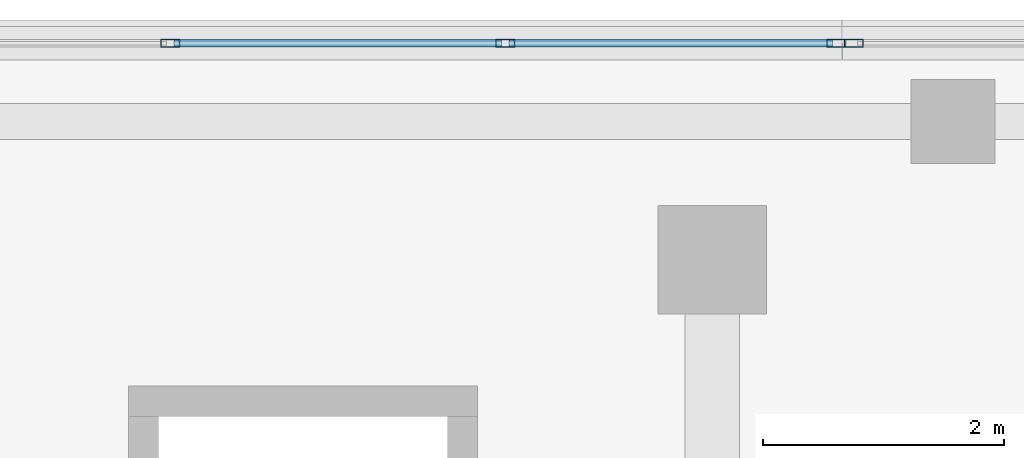
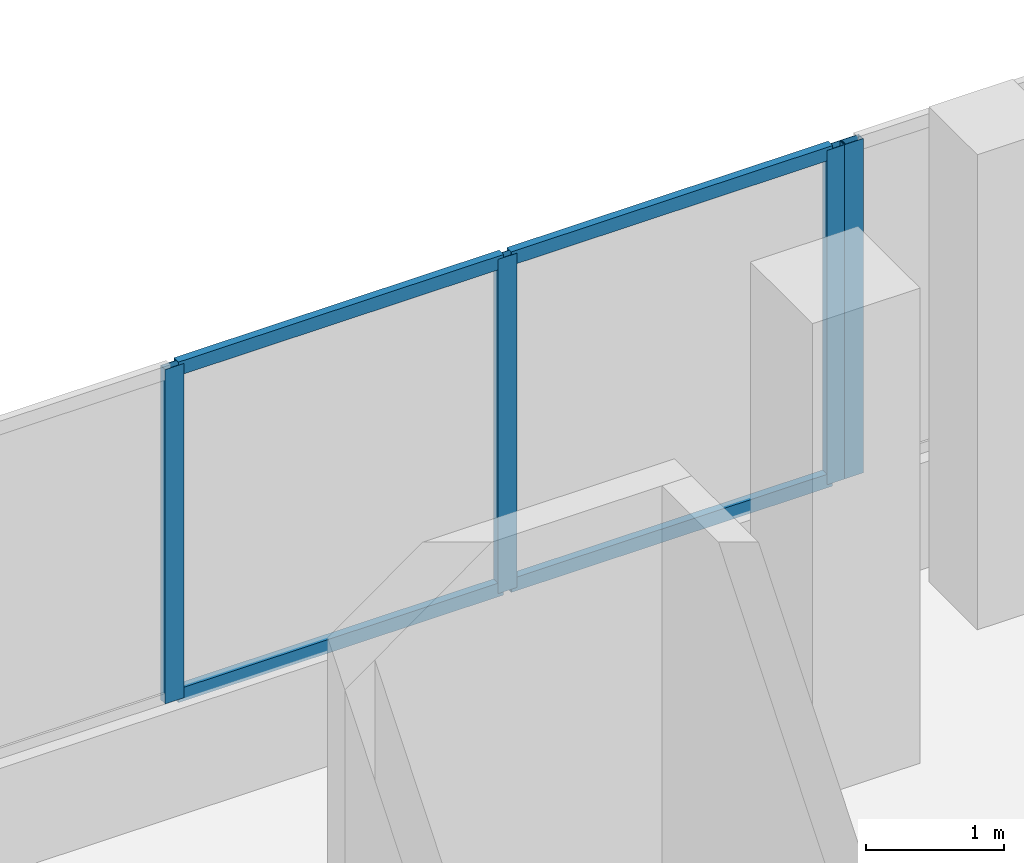
# One storey, part 136 of 184: 8 members, 2 elements without a shape of their own.
"""IFC4 building model written with IfcOpenShell, lengths in metres."""

from ifc_helpers import new_model, si_unit, direction, frame, origin, origin_2d, place, context, subcontext, project, spatial, hollow_rectangle, extrude, material, material_profile, profile_set, type_object, element, aggregate, save


model = new_model("IFC4")

# Units and contexts
model_context = context("Model", 3, precision=1e-05, world=origin(), true_north=direction((0.0, 1.0)))
body_context = subcontext(model_context, "Body", "Model", "MODEL_VIEW")
ifc_project = project(units=[si_unit("LENGTHUNIT", "METRE"), si_unit("AREAUNIT", "SQUARE_METRE"), si_unit("VOLUMEUNIT", "CUBIC_METRE"), si_unit("PLANEANGLEUNIT", "RADIAN"), si_unit("MASSUNIT", "GRAM", prefix="KILO")], contexts=[model_context])

# Site, building, storey
site_placement = place(None, origin())
site = spatial("IfcSite", under=ifc_project, at=site_placement, CompositionType="ELEMENT")
building_placement = place(site_placement, origin())
building = spatial("IfcBuilding", under=site, at=building_placement, Name="Selatvlak General Hospital", CompositionType="ELEMENT")
storey_placement = place(building_placement, frame((0.0, 0.0, 15.0)))
storey = spatial("IfcBuildingStorey", under=building, at=storey_placement, Name="L03", CompositionType="ELEMENT", Elevation=15.0)

# Curtain wall, members
ifc_material_1 = material(Name="Solar-control Low-E double glazing", Category="glass")
curtain_wall_type_1 = type_object("IfcCurtainWallType", Name="CW-CW-02", PredefinedType="USERDEFINED", material=ifc_material_1)
curtain_wall_1_placement = place(storey_placement, origin())
curtain_wall_1 = element("IfcCurtainWall", 1, at=curtain_wall_1_placement, inside=storey, type_object=curtain_wall_type_1, Name="Glazed facade curtain wall CW-L03-0379", ObjectType="UNITISED CURTAIN WALL", PredefinedType="USERDEFINED")
ifc_material_2 = material(Name="Dark anodised aluminium mullion", Category="aluminium")
ifc_material_profile_1 = material_profile(ifc_material_2, hollow_rectangle(XDim=0.06494140625, YDim=0.159912109375, WallThickness=0.00390625, at=origin_2d()), Name="AL-MUL 65x160x4")
ifc_profile_set_1 = profile_set([ifc_material_profile_1], Name="Dark anodised aluminium mullion")
member_type_1 = type_object("IfcMemberType", Name="CWM-01", PredefinedType="MULLION", material=ifc_profile_set_1)
member_1_placement = place(storey_placement, frame((142.897216796875, 120.0, 0.93994140625), z_axis=(0.0, 0.0, 1.0), x_axis=(0.0, 1.0, 0.0)))
member_1 = element("IfcMember", 2, at=member_1_placement, type_object=member_type_1, Name="CW-02 mullion 2", PredefinedType="MULLION", context=body_context, shape_type="SweptSolid", body=[
    extrude(hollow_rectangle(XDim=0.06494140625, YDim=0.159912109375, WallThickness=0.00390625, at=origin_2d()), origin(), (0.0, 0.0, 1.0), 2.955078125),
])
member_2_placement = place(storey_placement, frame((145.6806640625, 120.0, 0.93994140625), z_axis=(0.0, 0.0, 1.0), x_axis=(0.0, 1.0, 0.0)))
member_2 = element("IfcMember", 3, at=member_2_placement, type_object=member_type_1, Name="CW-02 mullion 3", PredefinedType="MULLION", context=body_context, shape_type="SweptSolid", body=[
    extrude(hollow_rectangle(XDim=0.06494140625, YDim=0.159912109375, WallThickness=0.00390625, at=origin_2d()), origin(), (0.0, 0.0, 1.0), 2.955078125),
])
member_3_placement = place(storey_placement, frame((148.431396484375, 120.0, 0.93994140625), z_axis=(0.0, 0.0, 1.0), x_axis=(0.0, 1.0, 0.0)))
member_3 = element("IfcMember", 4, at=member_3_placement, type_object=member_type_1, Name="CW-02 mullion 4", PredefinedType="MULLION", context=body_context, shape_type="SweptSolid", body=[
    extrude(hollow_rectangle(XDim=0.06494140625, YDim=0.159912109375, WallThickness=0.00390625, at=origin_2d()), origin(), (0.0, 0.0, 1.0), 2.955078125),
])

# Curtain wall, member
curtain_wall_type_2 = type_object("IfcCurtainWallType", Name="CW-CW-01", PredefinedType="USERDEFINED", material=ifc_material_1)
curtain_wall_2_placement = place(storey_placement, origin())
curtain_wall_2 = element("IfcCurtainWall", 5, at=curtain_wall_2_placement, inside=storey, type_object=curtain_wall_type_2, Name="Glazed facade curtain wall CW-L03-0380", ObjectType="UNITISED CURTAIN WALL", PredefinedType="USERDEFINED")
member_4_placement = place(storey_placement, frame((148.576416015625, 120.0, 0.93994140625), z_axis=(0.0, 0.0, 1.0), x_axis=(0.0, 1.0, 0.0)))
member_4 = element("IfcMember", 6, at=member_4_placement, type_object=member_type_1, Name="CW-01 mullion 1", PredefinedType="MULLION", context=body_context, shape_type="SweptSolid", body=[
    extrude(hollow_rectangle(XDim=0.06494140625, YDim=0.159912109375, WallThickness=0.00390625, at=origin_2d()), origin(), (0.0, 0.0, 1.0), 2.955078125),
])
aggregate(curtain_wall_2, [member_4])

# Member
ifc_material_profile_2 = material_profile(ifc_material_2, hollow_rectangle(XDim=0.06494140625, YDim=0.1201171875, WallThickness=0.00390625, at=origin_2d()), Name="AL-TRN 65x120x4")
ifc_profile_set_2 = profile_set([ifc_material_profile_2], Name="Dark anodised aluminium mullion")
member_type_2 = type_object("IfcMemberType", Name="CWT-01", PredefinedType="USERDEFINED", material=ifc_profile_set_2)
member_5_placement = place(storey_placement, frame((142.929931640625, 120.0, 0.972412109375), z_axis=(1.0, 0.0, 0.0), x_axis=(0.0, 1.0, 0.0)))
member_5 = element("IfcMember", 7, at=member_5_placement, type_object=member_type_2, Name="CW-02 transom 2.1", ObjectType="TRANSOM", PredefinedType="USERDEFINED", context=body_context, shape_type="SweptSolid", body=[
    extrude(hollow_rectangle(XDim=0.06494140625, YDim=0.1201171875, WallThickness=0.00390625, at=origin_2d()), origin(), (0.0, 0.0, 1.0), 2.71826171875),
])

member_6_placement = place(storey_placement, frame((142.929931640625, 120.0, 3.862548828125), z_axis=(1.0, 0.0, 0.0), x_axis=(0.0, 1.0, 0.0)))
member_6 = element("IfcMember", 8, at=member_6_placement, type_object=member_type_2, Name="CW-02 transom 2.2", ObjectType="TRANSOM", PredefinedType="USERDEFINED", context=body_context, shape_type="SweptSolid", body=[
    extrude(hollow_rectangle(XDim=0.06494140625, YDim=0.1201171875, WallThickness=0.00390625, at=origin_2d()), origin(), (0.0, 0.0, 1.0), 2.71826171875),
])

member_7_placement = place(storey_placement, frame((145.713134765625, 120.0, 0.972412109375), z_axis=(1.0, 0.0, 0.0), x_axis=(0.0, 1.0, 0.0)))
member_7 = element("IfcMember", 9, at=member_7_placement, type_object=member_type_2, Name="CW-02 transom 3.1", ObjectType="TRANSOM", PredefinedType="USERDEFINED", context=body_context, shape_type="SweptSolid", body=[
    extrude(hollow_rectangle(XDim=0.06494140625, YDim=0.1201171875, WallThickness=0.00390625, at=origin_2d()), origin(), (0.0, 0.0, 1.0), 2.685791015625),
])

member_8_placement = place(storey_placement, frame((145.713134765625, 120.0, 3.862548828125), z_axis=(1.0, 0.0, 0.0), x_axis=(0.0, 1.0, 0.0)))
member_8 = element("IfcMember", 10, at=member_8_placement, type_object=member_type_2, Name="CW-02 transom 3.2", ObjectType="TRANSOM", PredefinedType="USERDEFINED", context=body_context, shape_type="SweptSolid", body=[
    extrude(hollow_rectangle(XDim=0.06494140625, YDim=0.1201171875, WallThickness=0.00390625, at=origin_2d()), origin(), (0.0, 0.0, 1.0), 2.685791015625),
])

aggregate(curtain_wall_1, [member_1, member_2, member_3, member_5, member_6, member_7, member_8])

save(model, "model.ifc")
